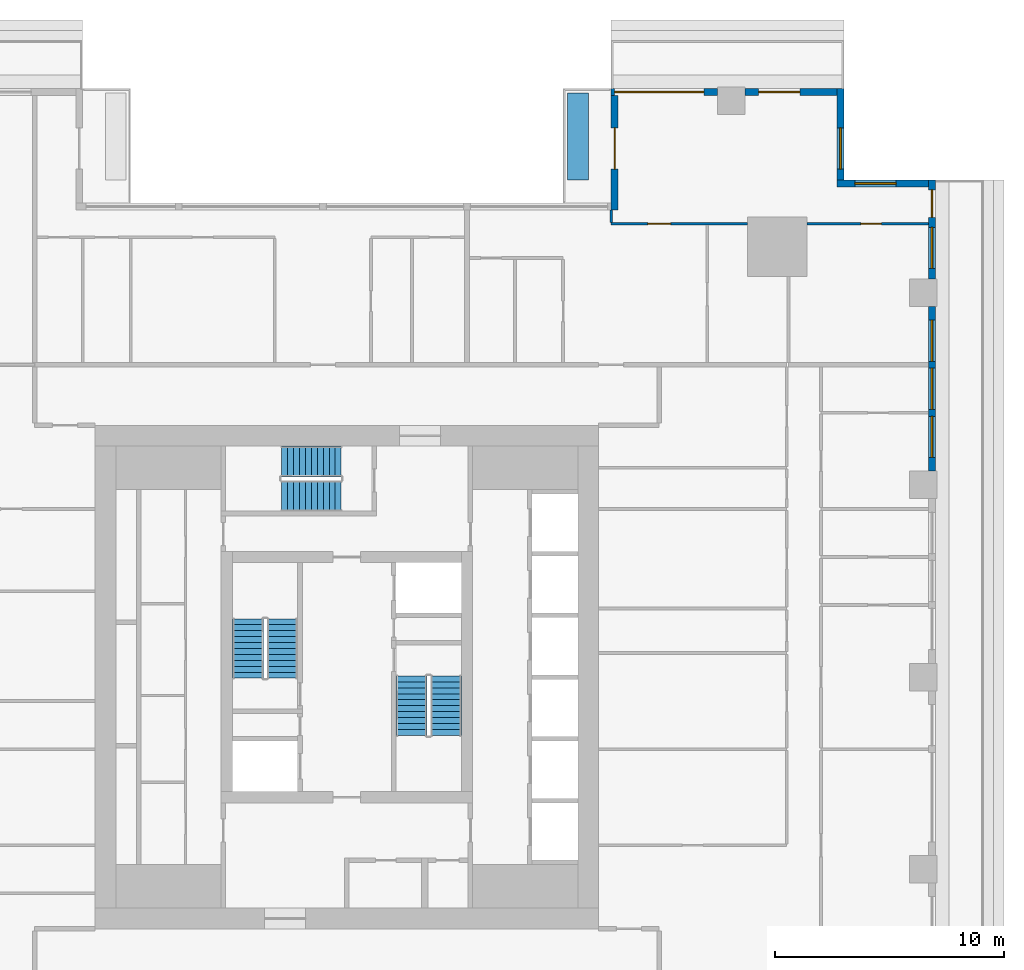
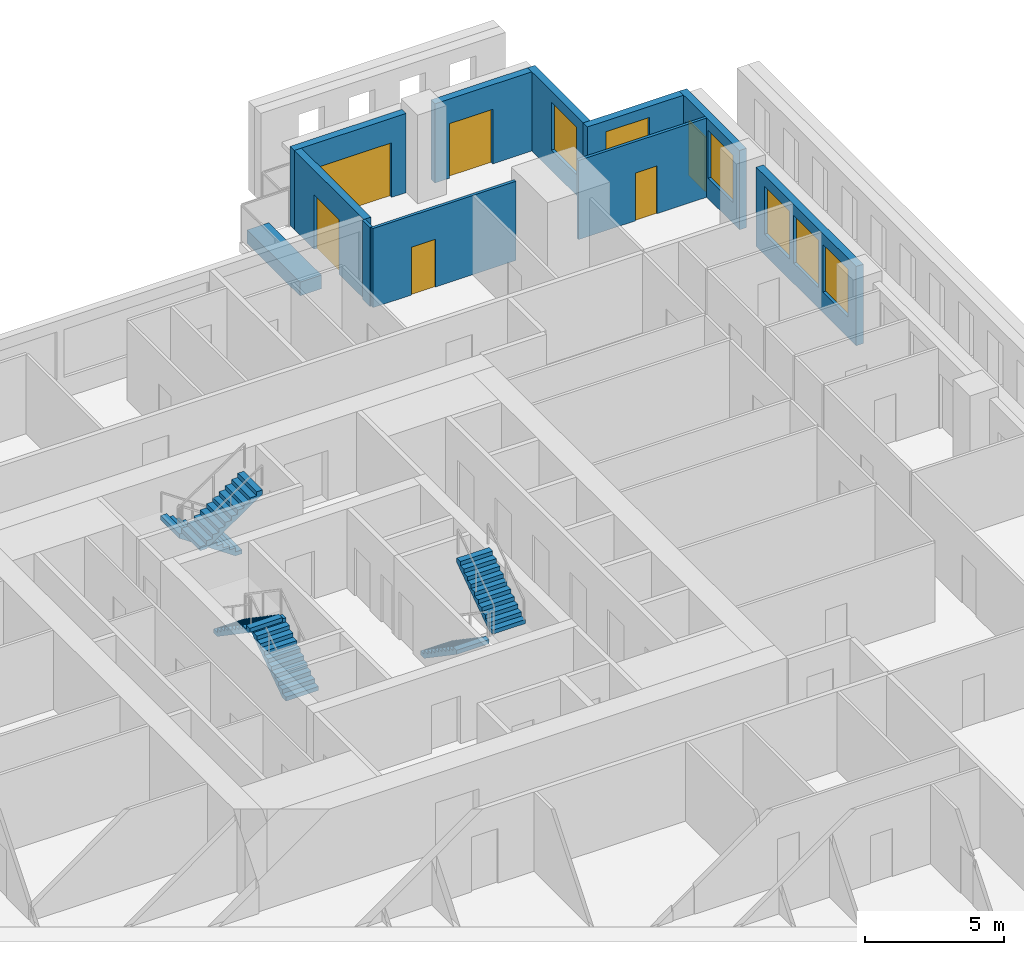
# One storey, part 9 of 15: 11 walls, 6 doors, 6 stair flights, 6 windows, 12 openings, 3 elements without a shape of their own.
"""IFC4 building model written with IfcOpenShell, lengths in metres."""

import ifcopenshell
import ifcopenshell.guid

model = None  # the IFC model being written
_history = None  # IfcOwnerHistory: only IFC2X3 demands one
_inside = {}  # id of a spatial element -> (the spatial element, [elements in it])
_under = {}  # id of a project, library or spatial element -> (it, [spatial elements below it])
_declared = {}  # id of a project -> (the project, [libraries it declares])
_typed = {}  # id of a type object -> (the type object, [elements of that type])
_made_of = {}  # id of a material, layer set ... -> (it, [elements and type objects made of it])


def new_model(schema):
    """Start an empty IFC model of exactly this schema.

    Asked for "IFC4X3", IfcOpenShell would pick the latest addendum, in which some entities
    have other attributes; the version numbers below select the first issue.
    IFC2X3 requires an IfcOwnerHistory on every rooted entity: one is made here for all.
    """
    global model, _history
    if schema == "IFC4X3":
        model = ifcopenshell.file(schema_version=(4, 3, 0, 0))
    else:
        model = ifcopenshell.file(schema=schema)
    _inside.clear()
    _under.clear()
    _declared.clear()
    _typed.clear()
    _made_of.clear()
    _history = None
    if model.schema == "IFC2X3":
        org = make("IfcOrganization", Name="unknown")
        user = make(
            "IfcPersonAndOrganization",
            ThePerson=make("IfcPerson", FamilyName="unknown"),
            TheOrganization=org,
        )
        app = make(
            "IfcApplication",
            ApplicationDeveloper=org,
            Version="unknown",
            ApplicationFullName="unknown",
            ApplicationIdentifier="unknown",
        )
        _history = make(
            "IfcOwnerHistory",
            OwningUser=user,
            OwningApplication=app,
            ChangeAction="ADDED",
            CreationDate=0,
        )
    return model


def make(cls, **values):
    """One entity of the class cls with the attributes given. An attribute that is None is left unset."""
    return model.create_entity(
        cls, **{name: value for name, value in values.items() if value is not None}
    )


def rooted(cls, **values):
    """An entity with a GlobalId (a new one), such as an element, a storey or a relation."""
    return make(cls, GlobalId=ifcopenshell.guid.new(), OwnerHistory=_history, **values)


def si_unit(unit_type, name, prefix=None):
    """IfcSIUnit, for example si_unit("LENGTHUNIT", "METRE", prefix="MILLI")."""
    return make("IfcSIUnit", UnitType=unit_type, Prefix=prefix, Name=name)


def assignment(units):
    """IfcUnitAssignment: the units of a project."""
    return None if units is None else make("IfcUnitAssignment", Units=units)


def point(xyz):
    """IfcCartesianPoint."""
    return None if xyz is None else make("IfcCartesianPoint", Coordinates=xyz)


def direction(xyz):
    """IfcDirection."""
    return None if xyz is None else make("IfcDirection", DirectionRatios=xyz)


def frame(location, z_axis=None, x_axis=None):
    """IfcAxis2Placement3D, a coordinate frame: its origin and axes. An axis left out is left unset."""
    return make(
        "IfcAxis2Placement3D",
        Location=point(location),
        Axis=direction(z_axis),
        RefDirection=direction(x_axis),
    )


def frame_2d(location, x_axis=None):
    """IfcAxis2Placement2D, a coordinate frame in the plane: its origin and x axis."""
    return make(
        "IfcAxis2Placement2D", Location=point(location), RefDirection=direction(x_axis)
    )


def origin():
    """The frame at (0, 0, 0) with its axes left unset."""
    return frame((0.0, 0.0, 0.0))


def place(relative_to, where):
    """IfcLocalPlacement: puts the frame where relative to a parent placement (None: the world)."""
    return make(
        "IfcLocalPlacement", PlacementRelTo=relative_to, RelativePlacement=where
    )


def context(
    kind, dimensions, precision=None, world=None, true_north=None, identifier=None
):
    """IfcGeometricRepresentationContext, for example the 3D "Model" context."""
    return make(
        "IfcGeometricRepresentationContext",
        ContextIdentifier=identifier,
        ContextType=kind,
        CoordinateSpaceDimension=dimensions,
        Precision=precision,
        WorldCoordinateSystem=world,
        TrueNorth=true_north,
    )


def subcontext(parent, identifier, kind, view, scale=None):
    """IfcGeometricRepresentationSubContext, for example "Body" below "Model"."""
    return make(
        "IfcGeometricRepresentationSubContext",
        ContextIdentifier=identifier,
        ContextType=kind,
        ParentContext=parent,
        TargetScale=scale,
        TargetView=view,
    )


def project(units=None, contexts=None):
    """IfcProject with its units and contexts."""
    return rooted(
        "IfcProject",
        Name="project",
        RepresentationContexts=contexts,
        UnitsInContext=assignment(units),
    )


def spatial(cls, under=None, at=None, **own):
    """A site, building, storey or space (cls), placed at a placement, below another one or the project."""
    s = rooted(cls, ObjectPlacement=at, **own)
    if under is not None:
        _under.setdefault(under.id(), (under, []))[1].append(s)
    return s


def polyline(points):
    """IfcPolyline through the points."""
    return make("IfcPolyline", Points=[point(p) for p in points])


def profile(cls, at=None, kind="AREA", **sizes):
    """A parametric profile (cls). Its sizes go by their IFC names, for example OverallWidth=200.0."""
    return make(cls, ProfileType=kind, Position=at, **sizes)


def rectangle(**sizes):
    """IfcRectangleProfileDef."""
    return profile("IfcRectangleProfileDef", **sizes)


def outline(outer, holes=None, kind="AREA"):
    """IfcArbitraryClosedProfileDef: a profile drawn as a closed curve; with holes, ...WithVoids."""
    if holes is None:
        return make("IfcArbitraryClosedProfileDef", ProfileType=kind, OuterCurve=outer)
    return make(
        "IfcArbitraryProfileDefWithVoids",
        ProfileType=kind,
        OuterCurve=outer,
        InnerCurves=holes,
    )


def extrude(swept, where, along, depth):
    """IfcExtrudedAreaSolid: the profile swept, set in the frame where, extruded along a direction by depth."""
    return make(
        "IfcExtrudedAreaSolid",
        SweptArea=swept,
        Position=where,
        ExtrudedDirection=direction(along),
        Depth=depth,
    )


def shape(context_of_items, identifier, shape_type, items):
    """IfcShapeRepresentation: the items that make up one representation, for example the "Body"."""
    return make(
        "IfcShapeRepresentation",
        ContextOfItems=context_of_items,
        RepresentationIdentifier=identifier,
        RepresentationType=shape_type,
        Items=items,
    )


def material(Name=None, Category=None):
    """IfcMaterial."""
    return make("IfcMaterial", Name=Name, Category=Category)


def layer(
    of_material, thickness, ventilated=None, Name=None, Category=None, Priority=None
):
    """IfcMaterialLayer: one layer of a wall or slab, of a material (None: an air gap)."""
    return make(
        "IfcMaterialLayer",
        Material=of_material,
        LayerThickness=thickness,
        IsVentilated=ventilated,
        Name=Name,
        Category=Category,
        Priority=Priority,
    )


def layer_set(layers, Name=None):
    """IfcMaterialLayerSet."""
    return make("IfcMaterialLayerSet", MaterialLayers=layers, LayerSetName=Name)


def made_of(thing, what):
    """Note that an element or type object is made of a material, layer set ...; save() writes the relation."""
    if what is not None:
        _made_of.setdefault(what.id(), (what, []))[1].append(thing)
    return thing


def type_object(cls, material=None, **own):
    """A type object (cls), such as IfcWallType, which elements share."""
    return made_of(rooted(cls, **own), material)


def element(
    cls,
    number,
    at=None,
    inside=None,
    cuts=None,
    type_object=None,
    material=None,
    context=None,
    identifier="Body",
    shape_type=None,
    held_by="IfcProductDefinitionShape",
    body=None,
    shapes=None,
    **own,
):
    """One element of the class cls, such as IfcWall. Its Tag is "e" and its number.

    at: its placement. inside: the storey or other place that contains it. cuts: it is an
    opening in that element (IfcRelVoidsElement). A single representation is given by context,
    identifier, shape_type and body (its items); several are given by shapes. held_by: the class
    of the entity that holds the representations. save() writes the other relations.
    """
    e = rooted(cls, Tag="e%d" % number, ObjectPlacement=at, **own)
    if body is not None:
        shapes = [shape(context, identifier, shape_type, body)]
    if shapes is not None:
        e.Representation = make(held_by, Representations=shapes)
    if inside is not None:
        _inside.setdefault(inside.id(), (inside, []))[1].append(e)
    if cuts is not None:
        rooted(
            "IfcRelVoidsElement", RelatingBuildingElement=cuts, RelatedOpeningElement=e
        )
    if type_object is not None:
        _typed.setdefault(type_object.id(), (type_object, []))[1].append(e)
    return made_of(e, material)


def fill(opening, filler):
    """IfcRelFillsElement: the door or window that sits in an opening."""
    return rooted(
        "IfcRelFillsElement",
        RelatingOpeningElement=opening,
        RelatedBuildingElement=filler,
    )


def aggregate(whole, parts):
    """IfcRelAggregates: a whole, such as a stair, and the parts it consists of."""
    return rooted("IfcRelAggregates", RelatingObject=whole, RelatedObjects=parts)


def save(model, path):
    """Write the relations noted so far, then the file.

    IfcRelAggregates (storeys below a building ...), IfcRelContainedInSpatialStructure (elements
    in a storey), IfcRelDefinesByType, IfcRelAssociatesMaterial and IfcRelDeclares: one each for
    every whole, place, type object, material and project.
    """
    for whole, parts in _under.values():
        aggregate(whole, parts)
    for where, things in _inside.values():
        rooted(
            "IfcRelContainedInSpatialStructure",
            RelatedElements=things,
            RelatingStructure=where,
        )
    for kind, things in _typed.values():
        rooted("IfcRelDefinesByType", RelatedObjects=things, RelatingType=kind)
    for what, things in _made_of.values():
        rooted("IfcRelAssociatesMaterial", RelatedObjects=things, RelatingMaterial=what)
    for by, libraries in _declared.values():
        rooted("IfcRelDeclares", RelatingContext=by, RelatedDefinitions=libraries)
    model.write(path)


model = new_model("IFC4")

# Units and contexts
model_context = context("Model", 3, precision=1e-05, world=origin(), true_north=direction((0.0, 1.0)))
body_context = subcontext(model_context, "Body", "Model", "MODEL_VIEW")
ifc_project = project(units=[si_unit("LENGTHUNIT", "METRE"), si_unit("AREAUNIT", "SQUARE_METRE"), si_unit("VOLUMEUNIT", "CUBIC_METRE"), si_unit("PLANEANGLEUNIT", "RADIAN"), si_unit("MASSUNIT", "GRAM", prefix="KILO")], contexts=[model_context])

# Site, building, storey
site_placement = place(None, origin())
site = spatial("IfcSite", under=ifc_project, at=site_placement, CompositionType="ELEMENT")
building_placement = place(site_placement, origin())
building = spatial("IfcBuilding", under=site, at=building_placement, Name="Khepri Terraces", CompositionType="ELEMENT")
storey_placement = place(building_placement, frame((0.0, 0.0, 165.0)))
storey = spatial("IfcBuildingStorey", under=building, at=storey_placement, Name="L39", CompositionType="ELEMENT", Elevation=165.0)

# Wall, openings, windows
ifc_material_1 = material(Name="Precast concrete C50/60 warm stone", Category="masonry")
ifc_layer_1 = layer(ifc_material_1, 0.300048828125, Name="Precast concrete C50/60 warm stone", Category="masonry")
ifc_layer_set_1 = layer_set([ifc_layer_1], Name="Precast concrete C50/60 warm stone")
wall_type_1 = type_object("IfcWallType", Name="WL-EXT-PRECAST-300", PredefinedType="STANDARD", material=ifc_layer_set_1)
wall_1_placement = place(storey_placement, frame((25.570068359375, 9.0, 0.0), z_axis=(0.0, 0.0, 1.0), x_axis=(0.0, 1.0, 0.0)))
wall_1 = element("IfcWall", 1, at=wall_1_placement, inside=storey, type_object=wall_type_1, Name="External wall L39 E", PredefinedType="STANDARD", context=body_context, shape_type="SweptSolid", body=[
    extrude(rectangle(XDim=7.199951171875, YDim=0.300048828125, at=frame_2d((3.60009765625, 0.0))), origin(), (0.0, 0.0, 1.0), 3.47998046875),
])
opening_1_placement = place(wall_1_placement, frame((0.60009765625, 0.0, 0.89990234375)))
opening_1 = element("IfcOpeningElement", 2, at=opening_1_placement, cuts=wall_1, Name="Opening W1", PredefinedType="OPENING", context=body_context, shape_type="SweptSolid", body=[
    extrude(rectangle(XDim=1.800048828125, YDim=2.10009765625, at=frame_2d((0.89990234375, 1.050048828125))), frame((0.0, 0.16015625, 0.0), z_axis=(0.0, -1.0, 0.0), x_axis=(1.0, 0.0, 0.0)), (0.0, 0.0, 1.0), 0.320068359375),
])
opening_2_placement = place(wall_1_placement, frame((2.699951171875, 0.0, 0.89990234375)))
opening_2 = element("IfcOpeningElement", 3, at=opening_2_placement, cuts=wall_1, Name="Opening W1", PredefinedType="OPENING", context=body_context, shape_type="SweptSolid", body=[
    extrude(rectangle(XDim=1.800048828125, YDim=2.10009765625, at=frame_2d((0.89990234375, 1.050048828125))), frame((0.0, 0.16015625, 0.0), z_axis=(0.0, -1.0, 0.0), x_axis=(1.0, 0.0, 0.0)), (0.0, 0.0, 1.0), 0.320068359375),
])
opening_3_placement = place(wall_1_placement, frame((4.800048828125, 0.0, 0.89990234375)))
opening_3 = element("IfcOpeningElement", 4, at=opening_3_placement, cuts=wall_1, Name="Opening W1", PredefinedType="OPENING", context=body_context, shape_type="SweptSolid", body=[
    extrude(rectangle(XDim=1.800048828125, YDim=2.10009765625, at=frame_2d((0.89990234375, 1.050048828125))), frame((0.0, 0.16015625, 0.0), z_axis=(0.0, -1.0, 0.0), x_axis=(1.0, 0.0, 0.0)), (0.0, 0.0, 1.0), 0.320068359375),
])
ifc_material_2 = material(Name="Clear glass", Category="glass")
window_type = type_object("IfcWindowType", Name="WIN-RES-1800x2100", PartitioningType="SINGLE_PANEL", PredefinedType="WINDOW", material=ifc_material_2)
window_1_placement = place(opening_1_placement, origin())
window_1 = element("IfcWindow", 5, at=window_1_placement, inside=storey, type_object=window_type, Name="Window L39 E", OverallHeight=2.10009765625, OverallWidth=1.800048828125, PartitioningType="SINGLE_PANEL", PredefinedType="WINDOW", context=body_context, shape_type="SweptSolid", body=[
    extrude(rectangle(XDim=1.800048828125, YDim=2.10009765625, at=frame_2d((0.89990234375, 1.050048828125))), frame((0.0, 0.030029296875, 0.0), z_axis=(0.0, -1.0, 0.0), x_axis=(1.0, 0.0, 0.0)), (0.0, 0.0, 1.0), 0.06005859375),
])
fill(opening_1, window_1)
window_2_placement = place(opening_2_placement, origin())
window_2 = element("IfcWindow", 6, at=window_2_placement, inside=storey, type_object=window_type, Name="Window L39 E", OverallHeight=2.10009765625, OverallWidth=1.800048828125, PartitioningType="SINGLE_PANEL", PredefinedType="WINDOW", context=body_context, shape_type="SweptSolid", body=[
    extrude(rectangle(XDim=1.800048828125, YDim=2.10009765625, at=frame_2d((0.89990234375, 1.050048828125))), frame((0.0, 0.030029296875, 0.0), z_axis=(0.0, -1.0, 0.0), x_axis=(1.0, 0.0, 0.0)), (0.0, 0.0, 1.0), 0.06005859375),
])
fill(opening_2, window_2)
window_3_placement = place(opening_3_placement, origin())
window_3 = element("IfcWindow", 7, at=window_3_placement, inside=storey, type_object=window_type, Name="Window L39 E", OverallHeight=2.10009765625, OverallWidth=1.800048828125, PartitioningType="SINGLE_PANEL", PredefinedType="WINDOW", context=body_context, shape_type="SweptSolid", body=[
    extrude(rectangle(XDim=1.800048828125, YDim=2.10009765625, at=frame_2d((0.89990234375, 1.050048828125))), frame((0.0, 0.030029296875, 0.0), z_axis=(0.0, -1.0, 0.0), x_axis=(1.0, 0.0, 0.0)), (0.0, 0.0, 1.0), 0.06005859375),
])
fill(opening_3, window_3)

# Wall, openings, door, window
wall_2_placement = place(storey_placement, frame((25.570068359375, 17.39990234375, 0.0), z_axis=(0.0, 0.0, 1.0), x_axis=(0.0, 1.0, 0.0)))
wall_2 = element("IfcWall", 8, at=wall_2_placement, inside=storey, type_object=wall_type_1, Name="External wall L39 E", PredefinedType="STANDARD", context=body_context, shape_type="SweptSolid", body=[
    extrude(rectangle(XDim=4.320068359375, YDim=0.300048828125, at=frame_2d((2.16015625, 0.0))), origin(), (0.0, 0.0, 1.0), 3.47998046875),
])
opening_4_placement = place(wall_2_placement, frame((2.695068359375, 0.0, 0.0)))
opening_4 = element("IfcOpeningElement", 9, at=opening_4_placement, cuts=wall_2, Name="Opening ED-L39-07", PredefinedType="OPENING", context=body_context, shape_type="SweptSolid", body=[
    extrude(rectangle(XDim=1.199951171875, YDim=2.39990234375, at=frame_2d((0.60009765625, 1.199951171875))), frame((0.0, 0.16015625, 0.0), z_axis=(0.0, -1.0, 0.0), x_axis=(1.0, 0.0, 0.0)), (0.0, 0.0, 1.0), 0.320068359375),
])
opening_5_placement = place(wall_2_placement, frame((0.4599609375, 0.0, 0.89990234375)))
opening_5 = element("IfcOpeningElement", 10, at=opening_5_placement, cuts=wall_2, Name="Opening W1", PredefinedType="OPENING", context=body_context, shape_type="SweptSolid", body=[
    extrude(rectangle(XDim=1.800048828125, YDim=2.10009765625, at=frame_2d((0.89990234375, 1.050048828125))), frame((0.0, 0.16015625, 0.0), z_axis=(0.0, -1.0, 0.0), x_axis=(1.0, 0.0, 0.0)), (0.0, 0.0, 1.0), 0.320068359375),
])
ifc_material_3 = material(Name="Anodised aluminium bronze glazed door", Category="aluminium")
door_type_1 = type_object("IfcDoorType", Name="DR-BAL-SLIDE-1200x2400", OperationType="NOTDEFINED", PredefinedType="DOOR", material=ifc_material_3)
door_1_placement = place(opening_4_placement, origin())
door_1 = element("IfcDoor", 11, at=door_1_placement, inside=storey, type_object=door_type_1, Name="Balcony door L39 E", OperationType="SLIDING_TO_LEFT", OverallHeight=2.39990234375, OverallWidth=1.199951171875, PredefinedType="DOOR", context=body_context, shape_type="SweptSolid", body=[
    extrude(rectangle(XDim=1.199951171875, YDim=2.39990234375, at=frame_2d((0.60009765625, 1.199951171875))), frame((0.0, 0.02490234375, 0.0), z_axis=(0.0, -1.0, 0.0), x_axis=(1.0, 0.0, 0.0)), (0.0, 0.0, 1.0), 0.050048828125),
])
fill(opening_4, door_1)
window_4_placement = place(opening_5_placement, origin())
window_4 = element("IfcWindow", 12, at=window_4_placement, inside=storey, type_object=window_type, Name="Window L39 E", OverallHeight=2.10009765625, OverallWidth=1.800048828125, PartitioningType="SINGLE_PANEL", PredefinedType="WINDOW", context=body_context, shape_type="SweptSolid", body=[
    extrude(rectangle(XDim=1.800048828125, YDim=2.10009765625, at=frame_2d((0.89990234375, 1.050048828125))), frame((0.0, 0.030029296875, 0.0), z_axis=(0.0, -1.0, 0.0), x_axis=(1.0, 0.0, 0.0)), (0.0, 0.0, 1.0), 0.06005859375),
])
fill(opening_5, window_4)

# Wall, opening, window
wall_3_placement = place(storey_placement, frame((25.419921875, 21.570068359375, 0.0), z_axis=(0.0, 0.0, 1.0), x_axis=(-1.0, 0.0, 0.0)))
wall_3 = element("IfcWall", 13, at=wall_3_placement, inside=storey, type_object=wall_type_1, Name="External wall L39 N", PredefinedType="STANDARD", context=body_context, shape_type="SweptSolid", body=[
    extrude(rectangle(XDim=4.0, YDim=0.300048828125, at=frame_2d((2.0, 0.0))), origin(), (0.0, 0.0, 1.0), 3.47998046875),
])
opening_6_placement = place(wall_3_placement, frame((1.419921875, 0.0, 0.89990234375)))
opening_6 = element("IfcOpeningElement", 14, at=opening_6_placement, cuts=wall_3, Name="Opening W1", PredefinedType="OPENING", context=body_context, shape_type="SweptSolid", body=[
    extrude(rectangle(XDim=1.800048828125, YDim=2.10009765625, at=frame_2d((0.89990234375, 1.050048828125))), frame((0.0, 0.16015625, 0.0), z_axis=(0.0, -1.0, 0.0), x_axis=(1.0, 0.0, 0.0)), (0.0, 0.0, 1.0), 0.320068359375),
])
window_5_placement = place(opening_6_placement, origin())
window_5 = element("IfcWindow", 15, at=window_5_placement, inside=storey, type_object=window_type, Name="Window L39 N", OverallHeight=2.10009765625, OverallWidth=1.800048828125, PartitioningType="SINGLE_PANEL", PredefinedType="WINDOW", context=body_context, shape_type="SweptSolid", body=[
    extrude(rectangle(XDim=1.800048828125, YDim=2.10009765625, at=frame_2d((0.89990234375, 1.050048828125))), frame((0.0, 0.030029296875, 0.0), z_axis=(0.0, -1.0, 0.0), x_axis=(1.0, 0.0, 0.0)), (0.0, 0.0, 1.0), 0.06005859375),
])
fill(opening_6, window_5)

wall_4_placement = place(storey_placement, frame((21.570068359375, 21.719970703125, 0.0), z_axis=(0.0, 0.0, 1.0), x_axis=(0.0, 1.0, 0.0)))
wall_4 = element("IfcWall", 16, at=wall_4_placement, inside=storey, type_object=wall_type_1, Name="External wall L39 E", PredefinedType="STANDARD", context=body_context, shape_type="SweptSolid", body=[
    extrude(rectangle(XDim=4.0, YDim=0.300048828125, at=frame_2d((2.0, 0.0))), origin(), (0.0, 0.0, 1.0), 3.47998046875),
])
opening_7_placement = place(wall_4_placement, frame((0.47998046875, 0.0, 0.89990234375)))
opening_7 = element("IfcOpeningElement", 17, at=opening_7_placement, cuts=wall_4, Name="Opening W1", PredefinedType="OPENING", context=body_context, shape_type="SweptSolid", body=[
    extrude(rectangle(XDim=1.800048828125, YDim=2.10009765625, at=frame_2d((0.89990234375, 1.050048828125))), frame((0.0, 0.16015625, 0.0), z_axis=(0.0, -1.0, 0.0), x_axis=(1.0, 0.0, 0.0)), (0.0, 0.0, 1.0), 0.320068359375),
])
window_6_placement = place(opening_7_placement, origin())
window_6 = element("IfcWindow", 18, at=window_6_placement, inside=storey, type_object=window_type, Name="Window L39 E", OverallHeight=2.10009765625, OverallWidth=1.800048828125, PartitioningType="SINGLE_PANEL", PredefinedType="WINDOW", context=body_context, shape_type="SweptSolid", body=[
    extrude(rectangle(XDim=1.800048828125, YDim=2.10009765625, at=frame_2d((0.89990234375, 1.050048828125))), frame((0.0, 0.030029296875, 0.0), z_axis=(0.0, -1.0, 0.0), x_axis=(1.0, 0.0, 0.0)), (0.0, 0.0, 1.0), 0.06005859375),
])
fill(opening_7, window_6)

# Wall, opening, door
wall_5_placement = place(storey_placement, frame((21.419921875, 25.570068359375, 0.0), z_axis=(0.0, 0.0, 1.0), x_axis=(-1.0, 0.0, 0.0)))
wall_5 = element("IfcWall", 19, at=wall_5_placement, inside=storey, type_object=wall_type_1, Name="External wall L39 N", PredefinedType="STANDARD", context=body_context, shape_type="SweptSolid", body=[
    extrude(rectangle(XDim=4.02001953125, YDim=0.300048828125, at=frame_2d((2.010009765625, 0.0))), origin(), (0.0, 0.0, 1.0), 3.47998046875),
])
opening_8_placement = place(wall_5_placement, frame((1.6201171875, 0.0, 0.0)))
opening_8 = element("IfcOpeningElement", 20, at=opening_8_placement, cuts=wall_5, Name="Opening ED-L39-08", PredefinedType="OPENING", context=body_context, shape_type="SweptSolid", body=[
    extrude(rectangle(XDim=1.800048828125, YDim=2.39990234375, at=frame_2d((0.89990234375, 1.199951171875))), frame((0.0, 0.16015625, 0.0), z_axis=(0.0, -1.0, 0.0), x_axis=(1.0, 0.0, 0.0)), (0.0, 0.0, 1.0), 0.320068359375),
])
door_type_2 = type_object("IfcDoorType", Name="DR-BAL-SLIDE-1800x2400", OperationType="NOTDEFINED", PredefinedType="DOOR", material=ifc_material_3)
door_2_placement = place(opening_8_placement, origin())
door_2 = element("IfcDoor", 21, at=door_2_placement, inside=storey, type_object=door_type_2, Name="Balcony door L39 N", OperationType="SLIDING_TO_RIGHT", OverallHeight=2.39990234375, OverallWidth=1.800048828125, PredefinedType="DOOR", context=body_context, shape_type="SweptSolid", body=[
    extrude(rectangle(XDim=1.800048828125, YDim=2.39990234375, at=frame_2d((0.89990234375, 1.199951171875))), frame((0.0, 0.02490234375, 0.0), z_axis=(0.0, -1.0, 0.0), x_axis=(1.0, 0.0, 0.0)), (0.0, 0.0, 1.0), 0.050048828125),
])
fill(opening_8, door_2)

wall_6_placement = place(storey_placement, frame((16.199951171875, 25.570068359375, 0.0), z_axis=(0.0, 0.0, 1.0), x_axis=(-1.0, 0.0, 0.0)))
wall_6 = element("IfcWall", 22, at=wall_6_placement, inside=storey, type_object=wall_type_1, Name="External wall L39 N", PredefinedType="STANDARD", context=body_context, shape_type="SweptSolid", body=[
    extrude(rectangle(XDim=4.64990234375, YDim=0.300048828125, at=frame_2d((2.324951171875, 0.0))), origin(), (0.0, 0.0, 1.0), 3.47998046875),
])
opening_9_placement = place(wall_6_placement, frame((0.60009765625, 0.0, 0.0)))
opening_9 = element("IfcOpeningElement", 23, at=opening_9_placement, cuts=wall_6, Name="Opening ED-L39-09", PredefinedType="OPENING", context=body_context, shape_type="SweptSolid", body=[
    extrude(rectangle(XDim=3.89990234375, YDim=2.39990234375, at=frame_2d((1.949951171875, 1.199951171875))), frame((0.0, 0.16015625, 0.0), z_axis=(0.0, -1.0, 0.0), x_axis=(1.0, 0.0, 0.0)), (0.0, 0.0, 1.0), 0.320068359375),
])
door_type_3 = type_object("IfcDoorType", Name="DR-BAL-SLIDE-3900x2400", OperationType="NOTDEFINED", PredefinedType="DOOR", material=ifc_material_3)
door_3_placement = place(opening_9_placement, origin())
door_3 = element("IfcDoor", 24, at=door_3_placement, inside=storey, type_object=door_type_3, Name="Balcony door L39 N", OperationType="SLIDING_TO_LEFT", OverallHeight=2.39990234375, OverallWidth=3.89990234375, PredefinedType="DOOR", context=body_context, shape_type="SweptSolid", body=[
    extrude(rectangle(XDim=3.89990234375, YDim=2.39990234375, at=frame_2d((1.949951171875, 1.199951171875))), frame((0.0, 0.02490234375, 0.0), z_axis=(0.0, -1.0, 0.0), x_axis=(1.0, 0.0, 0.0)), (0.0, 0.0, 1.0), 0.050048828125),
])
fill(opening_9, door_3)

wall_7_placement = place(storey_placement, frame((11.699951171875, 25.419921875, 0.0), z_axis=(0.0, 0.0, 1.0), x_axis=(0.0, -1.0, 0.0)))
wall_7 = element("IfcWall", 25, at=wall_7_placement, inside=storey, type_object=wall_type_1, Name="External wall L39 W", PredefinedType="STANDARD", context=body_context, shape_type="SweptSolid", body=[
    extrude(rectangle(XDim=5.0, YDim=0.300048828125, at=frame_2d((2.5, 0.0))), origin(), (0.0, 0.0, 1.0), 3.47998046875),
])
opening_10_placement = place(wall_7_placement, frame((1.419921875, 0.0, 0.0)))
opening_10 = element("IfcOpeningElement", 26, at=opening_10_placement, cuts=wall_7, Name="Opening ED-L39-10", PredefinedType="OPENING", context=body_context, shape_type="SweptSolid", body=[
    extrude(rectangle(XDim=1.800048828125, YDim=2.39990234375, at=frame_2d((0.89990234375, 1.199951171875))), frame((0.0, 0.16015625, 0.0), z_axis=(0.0, -1.0, 0.0), x_axis=(1.0, 0.0, 0.0)), (0.0, 0.0, 1.0), 0.320068359375),
])
door_4_placement = place(opening_10_placement, origin())
door_4 = element("IfcDoor", 27, at=door_4_placement, inside=storey, type_object=door_type_2, Name="Balcony door L39 W", OperationType="SLIDING_TO_LEFT", OverallHeight=2.39990234375, OverallWidth=1.800048828125, PredefinedType="DOOR", context=body_context, shape_type="SweptSolid", body=[
    extrude(rectangle(XDim=1.800048828125, YDim=2.39990234375, at=frame_2d((0.89990234375, 1.199951171875))), frame((0.0, 0.02490234375, 0.0), z_axis=(0.0, -1.0, 0.0), x_axis=(1.0, 0.0, 0.0)), (0.0, 0.0, 1.0), 0.050048828125),
])
fill(opening_10, door_4)

ifc_material_4 = material(Name="Gypsum plasterboard partition")
ifc_layer_2 = layer(ifc_material_4, 0.1201171875, Name="Gypsum plasterboard partition")
ifc_layer_set_2 = layer_set([ifc_layer_2], Name="Gypsum plasterboard partition")
wall_type_2 = type_object("IfcWallType", Name="WL-PART-120", PredefinedType="PARTITIONING", material=ifc_layer_set_2)
wall_8_placement = place(storey_placement, frame((11.550048828125, 19.820068359375, 0.0), z_axis=(0.0, 0.0, 1.0), x_axis=(1.0, 0.0, 0.0)))
wall_8 = element("IfcWall", 28, at=wall_8_placement, inside=storey, type_object=wall_type_2, Name="Partition P-101 L39", PredefinedType="PARTITIONING", context=body_context, shape_type="SweptSolid", body=[
    extrude(rectangle(XDim=5.949951171875, YDim=0.1201171875, at=frame_2d((2.97509765625, 0.0))), origin(), (0.0, 0.0, 1.0), 3.47998046875),
])
opening_11_placement = place(wall_8_placement, frame((1.60009765625, 0.0, 0.0)))
opening_11 = element("IfcOpeningElement", 29, at=opening_11_placement, cuts=wall_8, Name="Opening D2", PredefinedType="OPENING", context=body_context, shape_type="SweptSolid", body=[
    extrude(rectangle(XDim=1.0, YDim=2.10009765625, at=frame_2d((0.5, 1.050048828125))), frame((0.0, 0.070068359375, 0.0), z_axis=(0.0, -1.0, 0.0), x_axis=(1.0, 0.0, 0.0)), (0.0, 0.0, 1.0), 0.14013671875),
])
ifc_material_5 = material(Name="Timber door leaf, living room door", Category="wood")
door_type_4 = type_object("IfcDoorType", Name="DR-INT-1000", OperationType="NOTDEFINED", PredefinedType="DOOR", material=ifc_material_5)
door_5_placement = place(opening_11_placement, origin())
door_5 = element("IfcDoor", 30, at=door_5_placement, inside=storey, type_object=door_type_4, Name="Door Living Room", OperationType="SINGLE_SWING_LEFT", OverallHeight=2.10009765625, OverallWidth=1.0, PredefinedType="DOOR", context=body_context, shape_type="SweptSolid", body=[
    extrude(rectangle(XDim=1.0, YDim=2.10009765625, at=frame_2d((0.5, 1.050048828125))), frame((0.0, 0.02490234375, 0.0), z_axis=(0.0, -1.0, 0.0), x_axis=(1.0, 0.0, 0.0)), (0.0, 0.0, 1.0), 0.050048828125),
])
fill(opening_11, door_5)

wall_9_placement = place(storey_placement, frame((20.10009765625, 19.820068359375, 0.0), z_axis=(0.0, 0.0, 1.0), x_axis=(1.0, 0.0, 0.0)))
wall_9 = element("IfcWall", 31, at=wall_9_placement, inside=storey, type_object=wall_type_2, Name="Partition P-102 L39", PredefinedType="PARTITIONING", context=body_context, shape_type="SweptSolid", body=[
    extrude(rectangle(XDim=5.31982421875, YDim=0.1201171875, at=frame_2d((2.659912109375, 0.0))), origin(), (0.0, 0.0, 1.0), 3.47998046875),
])
opening_12_placement = place(wall_9_placement, frame((2.360107421875, 0.0, 0.0)))
opening_12 = element("IfcOpeningElement", 32, at=opening_12_placement, cuts=wall_9, Name="Opening D3", PredefinedType="OPENING", context=body_context, shape_type="SweptSolid", body=[
    extrude(rectangle(XDim=0.89990234375, YDim=2.10009765625, at=frame_2d((0.449951171875, 1.050048828125))), frame((0.0, 0.070068359375, 0.0), z_axis=(0.0, -1.0, 0.0), x_axis=(1.0, 0.0, 0.0)), (0.0, 0.0, 1.0), 0.14013671875),
])
ifc_material_6 = material(Name="Timber door leaf", Category="wood")
door_type_5 = type_object("IfcDoorType", Name="DR-INT-900", OperationType="NOTDEFINED", PredefinedType="DOOR", material=ifc_material_6)
door_6_placement = place(opening_12_placement, frame((0.89990234375, 0.0, 0.0), z_axis=(0.0, 0.0, 1.0), x_axis=(-1.0, 0.0, 0.0)))
door_6 = element("IfcDoor", 33, at=door_6_placement, inside=storey, type_object=door_type_5, Name="Door Staff Bedroom", OperationType="SINGLE_SWING_LEFT", OverallHeight=2.10009765625, OverallWidth=0.89990234375, PredefinedType="DOOR", context=body_context, shape_type="SweptSolid", body=[
    extrude(rectangle(XDim=0.89990234375, YDim=2.10009765625, at=frame_2d((0.449951171875, 1.050048828125))), frame((0.0, 0.02490234375, 0.0), z_axis=(0.0, -1.0, 0.0), x_axis=(1.0, 0.0, 0.0)), (0.0, 0.0, 1.0), 0.050048828125),
])
fill(opening_12, door_6)

# Walls
wall_10_placement = place(storey_placement, frame((11.550048828125, 19.8798828125, 0.0), z_axis=(0.0, 0.0, 1.0), x_axis=(0.0, 1.0, 0.0)))
element("IfcWall", 34, at=wall_10_placement, inside=storey, type_object=wall_type_2, Name="Partition P-103 L39", PredefinedType="PARTITIONING", context=body_context, shape_type="SweptSolid", body=[
    extrude(rectangle(XDim=0.5400390625, YDim=0.1201171875, at=frame_2d((0.27001953125, 0.0))), origin(), (0.0, 0.0, 1.0), 3.47998046875),
])
ifc_layer_3 = layer(ifc_material_1, 0.89990234375, Name="Precast concrete C50/60 warm stone", Category="masonry")
ifc_layer_set_3 = layer_set([ifc_layer_3], Name="Precast concrete C50/60 warm stone")
wall_type_3 = type_object("IfcWallType", Name="WL-PLANTER-900", PredefinedType="MOVABLE", material=ifc_layer_set_3)
wall_11_placement = place(storey_placement, frame((10.10009765625, 21.719970703125, 0.0), z_axis=(0.0, 0.0, 1.0), x_axis=(0.0, 1.0, 0.0)))
element("IfcWall", 35, at=wall_11_placement, inside=storey, type_object=wall_type_3, Name="Planter L39", PredefinedType="MOVABLE", context=body_context, shape_type="SweptSolid", body=[
    extrude(rectangle(XDim=3.800048828125, YDim=0.89990234375, at=frame_2d((1.89990234375, 0.0))), origin(), (0.0, 0.0, 1.0), 0.60009765625),
])

# Stair, stair flights
ifc_material_7 = material(Name="Concrete C40/50", Category="concrete")
stair_type = type_object("IfcStairType", Name="STAIR-RC-22R", PredefinedType="HALF_TURN_STAIR", material=ifc_material_7)
stair_1_placement = place(storey_placement, origin())
stair_1 = element("IfcStair", 36, at=stair_1_placement, inside=storey, type_object=stair_type, Name="L39 Exit Stair ST-1", PredefinedType="HALF_TURN_STAIR")
stair_flight_type = type_object("IfcStairFlightType", Name="SFL-RC-177.3", PredefinedType="STRAIGHT", material=ifc_material_7)
stair_flight_1_placement = place(storey_placement, frame((-2.824951171875, -0.050048828125, 0.0), z_axis=(0.0, 0.0, 1.0), x_axis=(0.0, 1.0, 0.0)))
stair_flight_1 = element("IfcStairFlight", 37, at=stair_flight_1_placement, type_object=stair_flight_type, Name="ST-1 flight 1", NumberOfRisers=11, NumberOfTreads=10, PredefinedType="STRAIGHT", RiserHeight=0.177272727, TreadLength=0.26, context=body_context, shape_type="SweptSolid", body=[
    extrude(outline(polyline([(0.0, 0.0), (0.0, 0.17724609375), (0.260009765625, 0.17724609375), (0.260009765625, 0.3544921875), (0.52001953125, 0.3544921875), (0.52001953125, 0.53173828125), (0.780029296875, 0.53173828125), (0.780029296875, 0.708984375), (1.0400390625, 0.708984375), (1.0400390625, 0.886474609375), (1.300048828125, 0.886474609375), (1.300048828125, 1.063720703125), (1.56005859375, 1.063720703125), (1.56005859375, 1.240966796875), (1.820068359375, 1.240966796875), (1.820068359375, 1.418212890625), (2.080078125, 1.418212890625), (2.080078125, 1.595458984375), (2.340087890625, 1.595458984375), (2.340087890625, 1.772705078125), (2.60009765625, 1.772705078125), (2.60009765625, 1.949951171875), (2.60009765625, 1.59130859375), (0.26611328125, 0.0), (0.0, 0.0)])), frame((0.0, 0.675048828125, 0.0), z_axis=(0.0, -1.0, 0.0), x_axis=(1.0, 0.0, 0.0)), (0.0, 0.0, 1.0), 1.35009765625),
])
stair_flight_2_placement = place(storey_placement, frame((-4.324951171875, 2.550048828125, 1.949951171875), z_axis=(0.0, 0.0, 1.0), x_axis=(0.0, -1.0, 0.0)))
stair_flight_2 = element("IfcStairFlight", 38, at=stair_flight_2_placement, type_object=stair_flight_type, Name="ST-1 flight 2", NumberOfRisers=11, NumberOfTreads=10, PredefinedType="STRAIGHT", RiserHeight=0.177272727, TreadLength=0.26, context=body_context, shape_type="SweptSolid", body=[
    extrude(outline(polyline([(0.0, 0.0), (0.0, 0.17724609375), (0.260009765625, 0.17724609375), (0.260009765625, 0.3544921875), (0.52001953125, 0.3544921875), (0.52001953125, 0.53173828125), (0.780029296875, 0.53173828125), (0.780029296875, 0.708984375), (1.0400390625, 0.708984375), (1.0400390625, 0.886474609375), (1.300048828125, 0.886474609375), (1.300048828125, 1.063720703125), (1.56005859375, 1.063720703125), (1.56005859375, 1.240966796875), (1.820068359375, 1.240966796875), (1.820068359375, 1.418212890625), (2.080078125, 1.418212890625), (2.080078125, 1.595458984375), (2.340087890625, 1.595458984375), (2.340087890625, 1.772705078125), (2.60009765625, 1.772705078125), (2.60009765625, 1.949951171875), (2.60009765625, 1.59130859375), (0.26611328125, 0.0), (0.0, 0.0)])), frame((0.0, 0.675048828125, 0.0), z_axis=(0.0, -1.0, 0.0), x_axis=(1.0, 0.0, 0.0)), (0.0, 0.0, 1.0), 1.35009765625),
])
aggregate(stair_1, [stair_flight_1, stair_flight_2])

stair_2_placement = place(storey_placement, origin())
stair_2 = element("IfcStair", 39, at=stair_2_placement, inside=storey, type_object=stair_type, Name="L39 Exit Stair ST-2", PredefinedType="HALF_TURN_STAIR")
stair_flight_3_placement = place(storey_placement, frame((2.824951171875, 0.050048828125, 0.0), z_axis=(0.0, 0.0, 1.0), x_axis=(0.0, -1.0, 0.0)))
stair_flight_3 = element("IfcStairFlight", 40, at=stair_flight_3_placement, type_object=stair_flight_type, Name="ST-2 flight 1", NumberOfRisers=11, NumberOfTreads=10, PredefinedType="STRAIGHT", RiserHeight=0.177272727, TreadLength=0.26, context=body_context, shape_type="SweptSolid", body=[
    extrude(outline(polyline([(0.0, 0.0), (0.0, 0.17724609375), (0.260009765625, 0.17724609375), (0.260009765625, 0.3544921875), (0.52001953125, 0.3544921875), (0.52001953125, 0.53173828125), (0.780029296875, 0.53173828125), (0.780029296875, 0.708984375), (1.0400390625, 0.708984375), (1.0400390625, 0.886474609375), (1.300048828125, 0.886474609375), (1.300048828125, 1.063720703125), (1.56005859375, 1.063720703125), (1.56005859375, 1.240966796875), (1.820068359375, 1.240966796875), (1.820068359375, 1.418212890625), (2.080078125, 1.418212890625), (2.080078125, 1.595458984375), (2.340087890625, 1.595458984375), (2.340087890625, 1.772705078125), (2.60009765625, 1.772705078125), (2.60009765625, 1.949951171875), (2.60009765625, 1.59130859375), (0.26611328125, 0.0), (0.0, 0.0)])), frame((0.0, 0.675048828125, 0.0), z_axis=(0.0, -1.0, 0.0), x_axis=(1.0, 0.0, 0.0)), (0.0, 0.0, 1.0), 1.35009765625),
])
stair_flight_4_placement = place(storey_placement, frame((4.324951171875, -2.550048828125, 1.949951171875), z_axis=(0.0, 0.0, 1.0), x_axis=(0.0, 1.0, 0.0)))
stair_flight_4 = element("IfcStairFlight", 41, at=stair_flight_4_placement, type_object=stair_flight_type, Name="ST-2 flight 2", NumberOfRisers=11, NumberOfTreads=10, PredefinedType="STRAIGHT", RiserHeight=0.177272727, TreadLength=0.26, context=body_context, shape_type="SweptSolid", body=[
    extrude(outline(polyline([(0.0, 0.0), (0.0, 0.17724609375), (0.260009765625, 0.17724609375), (0.260009765625, 0.3544921875), (0.52001953125, 0.3544921875), (0.52001953125, 0.53173828125), (0.780029296875, 0.53173828125), (0.780029296875, 0.708984375), (1.0400390625, 0.708984375), (1.0400390625, 0.886474609375), (1.300048828125, 0.886474609375), (1.300048828125, 1.063720703125), (1.56005859375, 1.063720703125), (1.56005859375, 1.240966796875), (1.820068359375, 1.240966796875), (1.820068359375, 1.418212890625), (2.080078125, 1.418212890625), (2.080078125, 1.595458984375), (2.340087890625, 1.595458984375), (2.340087890625, 1.772705078125), (2.60009765625, 1.772705078125), (2.60009765625, 1.949951171875), (2.60009765625, 1.59130859375), (0.26611328125, 0.0), (0.0, 0.0)])), frame((0.0, 0.675048828125, 0.0), z_axis=(0.0, -1.0, 0.0), x_axis=(1.0, 0.0, 0.0)), (0.0, 0.0, 1.0), 1.35009765625),
])
aggregate(stair_2, [stair_flight_3, stair_flight_4])

stair_3_placement = place(storey_placement, origin())
stair_3 = element("IfcStair", 42, at=stair_3_placement, inside=storey, type_object=stair_type, Name="L39 Exit Stair ST-3", PredefinedType="HALF_TURN_STAIR")
stair_flight_5_placement = place(storey_placement, frame((-0.25, 9.425048828125, 0.0), z_axis=(0.0, 0.0, 1.0), x_axis=(-1.0, 0.0, 0.0)))
stair_flight_5 = element("IfcStairFlight", 43, at=stair_flight_5_placement, type_object=stair_flight_type, Name="ST-3 flight 1", NumberOfRisers=11, NumberOfTreads=10, PredefinedType="STRAIGHT", RiserHeight=0.177272727, TreadLength=0.26, context=body_context, shape_type="SweptSolid", body=[
    extrude(outline(polyline([(0.0, 0.0), (0.0, 0.17724609375), (0.260009765625, 0.17724609375), (0.260009765625, 0.3544921875), (0.52001953125, 0.3544921875), (0.52001953125, 0.53173828125), (0.780029296875, 0.53173828125), (0.780029296875, 0.708984375), (1.0400390625, 0.708984375), (1.0400390625, 0.886474609375), (1.300048828125, 0.886474609375), (1.300048828125, 1.063720703125), (1.56005859375, 1.063720703125), (1.56005859375, 1.240966796875), (1.820068359375, 1.240966796875), (1.820068359375, 1.418212890625), (2.080078125, 1.418212890625), (2.080078125, 1.595458984375), (2.340087890625, 1.595458984375), (2.340087890625, 1.772705078125), (2.60009765625, 1.772705078125), (2.60009765625, 1.949951171875), (2.60009765625, 1.59130859375), (0.26611328125, 0.0), (0.0, 0.0)])), frame((0.0, 0.675048828125, 0.0), z_axis=(0.0, -1.0, 0.0), x_axis=(1.0, 0.0, 0.0)), (0.0, 0.0, 1.0), 1.35009765625),
])
stair_flight_6_placement = place(storey_placement, frame((-2.85009765625, 7.925048828125, 1.949951171875), z_axis=(0.0, 0.0, 1.0), x_axis=(1.0, 0.0, 0.0)))
stair_flight_6 = element("IfcStairFlight", 44, at=stair_flight_6_placement, type_object=stair_flight_type, Name="ST-3 flight 2", NumberOfRisers=11, NumberOfTreads=10, PredefinedType="STRAIGHT", RiserHeight=0.177272727, TreadLength=0.26, context=body_context, shape_type="SweptSolid", body=[
    extrude(outline(polyline([(0.0, 0.0), (0.0, 0.17724609375), (0.260009765625, 0.17724609375), (0.260009765625, 0.3544921875), (0.52001953125, 0.3544921875), (0.52001953125, 0.53173828125), (0.780029296875, 0.53173828125), (0.780029296875, 0.708984375), (1.0400390625, 0.708984375), (1.0400390625, 0.886474609375), (1.300048828125, 0.886474609375), (1.300048828125, 1.063720703125), (1.56005859375, 1.063720703125), (1.56005859375, 1.240966796875), (1.820068359375, 1.240966796875), (1.820068359375, 1.418212890625), (2.080078125, 1.418212890625), (2.080078125, 1.595458984375), (2.340087890625, 1.595458984375), (2.340087890625, 1.772705078125), (2.60009765625, 1.772705078125), (2.60009765625, 1.949951171875), (2.60009765625, 1.59130859375), (0.26611328125, 0.0), (0.0, 0.0)])), frame((0.0, 0.675048828125, 0.0), z_axis=(0.0, -1.0, 0.0), x_axis=(1.0, 0.0, 0.0)), (0.0, 0.0, 1.0), 1.35009765625),
])
aggregate(stair_3, [stair_flight_5, stair_flight_6])

save(model, "model.ifc")
